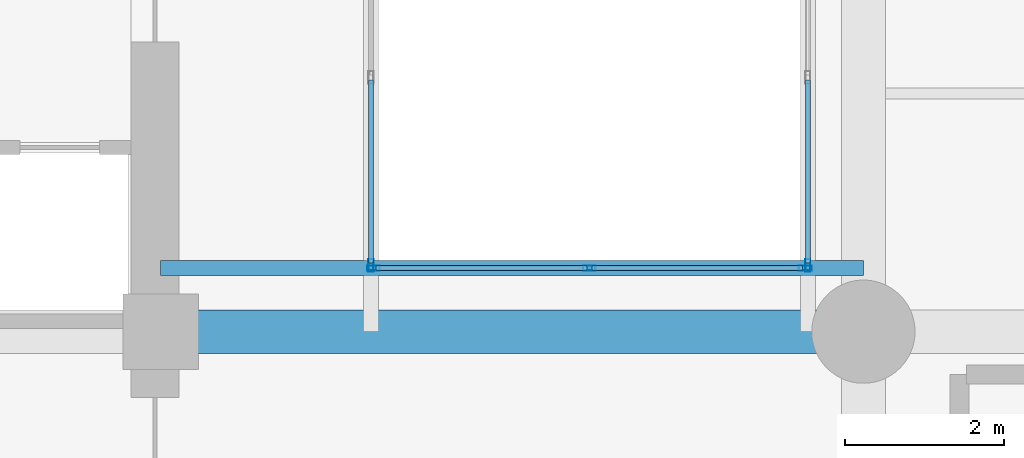
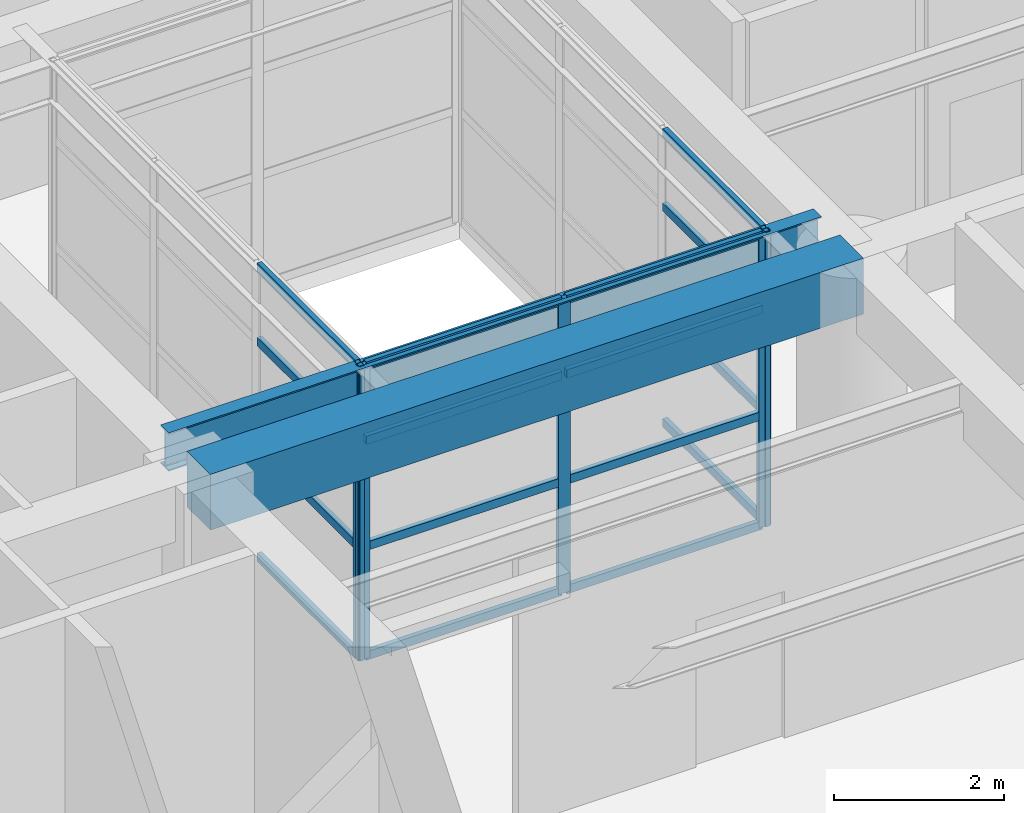
# One storey, part 2 of 10: 21 members, 2 beams, 3 elements without a shape of their own.
"""IFC4 building model written with IfcOpenShell, lengths in metres."""

from ifc_helpers import new_model, si_unit, direction, frame, origin, origin_2d, place, context, subcontext, project, spatial, rectangle, hollow_rectangle, i_section, extrude, material, layer, layer_set, material_profile, profile_set, type_object, element, aggregate, save


model = new_model("IFC4")

# Units and contexts
model_context = context("Model", 3, precision=1e-05, world=origin(), true_north=direction((0.0, 1.0)))
body_context = subcontext(model_context, "Body", "Model", "MODEL_VIEW")
ifc_project = project(units=[si_unit("LENGTHUNIT", "METRE"), si_unit("AREAUNIT", "SQUARE_METRE"), si_unit("VOLUMEUNIT", "CUBIC_METRE"), si_unit("PLANEANGLEUNIT", "RADIAN"), si_unit("MASSUNIT", "GRAM", prefix="KILO")], contexts=[model_context])

# Site, building, storey
site_placement = place(None, origin())
site = spatial("IfcSite", under=ifc_project, at=site_placement, CompositionType="ELEMENT")
building_placement = place(site_placement, origin())
building = spatial("IfcBuilding", under=site, at=building_placement, Name="Kundavana Baori Tower", CompositionType="ELEMENT")
storey_placement = place(building_placement, frame((0.0, 0.0, 8.0)))
storey = spatial("IfcBuildingStorey", under=building, at=storey_placement, Name="L01", CompositionType="ELEMENT", Elevation=8.0)

# Beams
ifc_material_1 = material(Name="Concrete C50/60", Category="concrete")
ifc_material_profile_1 = material_profile(ifc_material_1, rectangle(XDim=0.550048828125, YDim=0.800048828125, at=origin_2d()), Name="RC BM 550x800")
ifc_profile_set_1 = profile_set([ifc_material_profile_1], Name="Concrete C50/60")
beam_type_1 = type_object("IfcBeamType", Name="BM-RC-800", PredefinedType="BEAM", material=ifc_profile_set_1)
beam_1_placement = place(storey_placement, frame((24.949951171875, 24.199951171875, 3.820068359375), z_axis=(1.0, 0.0, 0.0), x_axis=(0.0, 1.0, 0.0)))
element("IfcBeam", 1, at=beam_1_placement, inside=storey, type_object=beam_type_1, Name="L01 Primary Grid Girder GX-2-2", PredefinedType="BEAM", context=body_context, shape_type="SweptSolid", body=[
    extrude(rectangle(XDim=0.550048828125, YDim=0.800048828125, at=origin_2d()), origin(), (0.0, 0.0, 1.0), 8.85009765625),
])
ifc_material_2 = material(Name="Structural Steel S355JR", Category="steel")
ifc_material_profile_2 = material_profile(ifc_material_2, i_section(OverallWidth=0.18994140625, OverallDepth=0.550048828125, WebThickness=0.01123046875, FlangeThickness=0.019287109375, FilletRadius=0.01806640625, at=origin_2d()), Name="ISMB 550")
ifc_profile_set_2 = profile_set([ifc_material_profile_2], Name="Structural Steel S355JR")
beam_type_2 = type_object("IfcBeamType", Name="BM-ST-550", PredefinedType="BEAM", material=ifc_profile_set_2)
beam_2_placement = place(storey_placement, frame((24.949951171875, 25.0, 3.945068359375), z_axis=(1.0, 0.0, 0.0), x_axis=(0.0, 1.0, 0.0)))
element("IfcBeam", 2, at=beam_2_placement, inside=storey, type_object=beam_type_2, Name="L01 Atrium South Edge Beam", PredefinedType="BEAM", context=body_context, shape_type="SweptSolid", body=[
    extrude(i_section(OverallWidth=0.18994140625, OverallDepth=0.550048828125, WebThickness=0.01123046875, FlangeThickness=0.019287109375, FilletRadius=0.01806640625, at=origin_2d()), origin(), (0.0, 0.0, 1.0), 8.85009765625),
])

# Curtain wall, members
ifc_material_3 = material(Name="Thermally Broken Anodised Aluminium Framing", Category="aluminium")
ifc_layer = layer(ifc_material_3, 0.159912109375, Name="CW-SYS-1")
ifc_layer_set = layer_set([ifc_layer], Name="Thermally Broken Anodised Aluminium Framing")
curtain_wall_type = type_object("IfcCurtainWallType", Name="CW-SYS-1", PredefinedType="NOTDEFINED", material=ifc_layer_set)
curtain_wall_1_placement = place(storey_placement, origin())
curtain_wall_1 = element("IfcCurtainWall", 3, at=curtain_wall_1_placement, inside=storey, type_object=curtain_wall_type, Name="L01 Atrium Glazed Curtain Wall S", PredefinedType="NOTDEFINED")
ifc_material_4 = material(Name="Thermally Broken Anodised Aluminium Framing", Category="aluminium")
ifc_material_profile_3 = material_profile(ifc_material_4, hollow_rectangle(XDim=0.06494140625, YDim=0.159912109375, WallThickness=0.00390625, at=origin_2d()), Name="CW-MULL-160")
ifc_profile_set_3 = profile_set([ifc_material_profile_3], Name="Thermally Broken Anodised Aluminium Framing")
member_type_1 = type_object("IfcMemberType", Name="CW-MULL-160", PredefinedType="MULLION", material=ifc_profile_set_3)
member_1_placement = place(storey_placement, frame((27.632568359375, 25.0, 0.0), z_axis=(0.0, 0.0, 1.0), x_axis=(0.0, 1.0, 0.0)))
member_1 = element("IfcMember", 4, at=member_1_placement, type_object=member_type_1, Name="CW1 mullion 1", PredefinedType="MULLION", context=body_context, shape_type="SweptSolid", body=[
    extrude(hollow_rectangle(XDim=0.06494140625, YDim=0.159912109375, WallThickness=0.00390625, at=origin_2d()), origin(), (0.0, 0.0, 1.0), 4.219970703125),
])
member_2_placement = place(storey_placement, frame((30.35009765625, 25.0, 0.0), z_axis=(0.0, 0.0, 1.0), x_axis=(0.0, 1.0, 0.0)))
member_2 = element("IfcMember", 5, at=member_2_placement, type_object=member_type_1, Name="CW1 mullion 2", PredefinedType="MULLION", context=body_context, shape_type="SweptSolid", body=[
    extrude(hollow_rectangle(XDim=0.06494140625, YDim=0.159912109375, WallThickness=0.00390625, at=origin_2d()), origin(), (0.0, 0.0, 1.0), 4.219970703125),
])
member_3_placement = place(storey_placement, frame((33.0673828125, 25.0, 0.0), z_axis=(0.0, 0.0, 1.0), x_axis=(0.0, 1.0, 0.0)))
member_3 = element("IfcMember", 6, at=member_3_placement, type_object=member_type_1, Name="CW1 mullion 3", PredefinedType="MULLION", context=body_context, shape_type="SweptSolid", body=[
    extrude(hollow_rectangle(XDim=0.06494140625, YDim=0.159912109375, WallThickness=0.00390625, at=origin_2d()), origin(), (0.0, 0.0, 1.0), 4.219970703125),
])

# Curtain wall, member
curtain_wall_2_placement = place(storey_placement, origin())
curtain_wall_2 = element("IfcCurtainWall", 7, at=curtain_wall_2_placement, inside=storey, type_object=curtain_wall_type, Name="L01 Atrium Glazed Curtain Wall E", PredefinedType="NOTDEFINED")
member_4_placement = place(storey_placement, frame((33.10009765625, 25.032470703125, 0.0), z_axis=(0.0, 0.0, 1.0), x_axis=(-1.0, 0.0, 0.0)))
member_4 = element("IfcMember", 8, at=member_4_placement, type_object=member_type_1, Name="CW1 mullion 1", PredefinedType="MULLION", context=body_context, shape_type="SweptSolid", body=[
    extrude(hollow_rectangle(XDim=0.06494140625, YDim=0.159912109375, WallThickness=0.00390625, at=origin_2d()), origin(), (0.0, 0.0, 1.0), 4.219970703125),
])

curtain_wall_3_placement = place(storey_placement, origin())
curtain_wall_3 = element("IfcCurtainWall", 9, at=curtain_wall_3_placement, inside=storey, type_object=curtain_wall_type, Name="L01 Atrium Glazed Curtain Wall W", PredefinedType="NOTDEFINED")
member_5_placement = place(storey_placement, frame((27.60009765625, 25.032470703125, 0.0), z_axis=(0.0, 0.0, 1.0), x_axis=(1.0, 0.0, 0.0)))
member_5 = element("IfcMember", 10, at=member_5_placement, type_object=member_type_1, Name="CW1 mullion 4", PredefinedType="MULLION", context=body_context, shape_type="SweptSolid", body=[
    extrude(hollow_rectangle(XDim=0.06494140625, YDim=0.159912109375, WallThickness=0.00390625, at=origin_2d()), origin(), (0.0, 0.0, 1.0), 4.219970703125),
])

# Member
ifc_material_5 = material(Name="Thermally Broken Anodised Aluminium Framing", Category="aluminium")
ifc_material_profile_4 = material_profile(ifc_material_5, hollow_rectangle(XDim=0.06494140625, YDim=0.1201171875, WallThickness=0.00390625, at=origin_2d()), Name="CW-TRAN-120")
ifc_profile_set_4 = profile_set([ifc_material_profile_4], Name="Thermally Broken Anodised Aluminium Framing")
member_type_2 = type_object("IfcMemberType", Name="CW-TRAN-120", PredefinedType="USERDEFINED", material=ifc_profile_set_4)
member_6_placement = place(storey_placement, frame((27.6650390625, 25.0, 0.032470703125), z_axis=(1.0, 0.0, 0.0), x_axis=(0.0, 1.0, 0.0)))
member_6 = element("IfcMember", 11, at=member_6_placement, type_object=member_type_2, Name="CW1 transom 1.1", ObjectType="TRANSOM", PredefinedType="USERDEFINED", context=body_context, shape_type="SweptSolid", body=[
    extrude(hollow_rectangle(XDim=0.06494140625, YDim=0.1201171875, WallThickness=0.00390625, at=origin_2d()), origin(), (0.0, 0.0, 1.0), 2.65234375),
])

member_7_placement = place(storey_placement, frame((27.6650390625, 25.0, 1.603515625), z_axis=(1.0, 0.0, 0.0), x_axis=(0.0, 1.0, 0.0)))
member_7 = element("IfcMember", 12, at=member_7_placement, type_object=member_type_2, Name="CW1 transom 1.2", ObjectType="TRANSOM", PredefinedType="USERDEFINED", context=body_context, shape_type="SweptSolid", body=[
    extrude(hollow_rectangle(XDim=0.06494140625, YDim=0.1201171875, WallThickness=0.00390625, at=origin_2d()), origin(), (0.0, 0.0, 1.0), 2.65234375),
])

member_8_placement = place(storey_placement, frame((27.6650390625, 25.0, 3.122802734375), z_axis=(1.0, 0.0, 0.0), x_axis=(0.0, 1.0, 0.0)))
member_8 = element("IfcMember", 13, at=member_8_placement, type_object=member_type_2, Name="CW1 transom 1.3", ObjectType="TRANSOM", PredefinedType="USERDEFINED", context=body_context, shape_type="SweptSolid", body=[
    extrude(hollow_rectangle(XDim=0.06494140625, YDim=0.1201171875, WallThickness=0.00390625, at=origin_2d()), origin(), (0.0, 0.0, 1.0), 2.65234375),
])

member_9_placement = place(storey_placement, frame((27.6650390625, 25.0, 4.1875), z_axis=(1.0, 0.0, 0.0), x_axis=(0.0, 1.0, 0.0)))
member_9 = element("IfcMember", 14, at=member_9_placement, type_object=member_type_2, Name="CW1 transom 1.4", ObjectType="TRANSOM", PredefinedType="USERDEFINED", context=body_context, shape_type="SweptSolid", body=[
    extrude(hollow_rectangle(XDim=0.06494140625, YDim=0.1201171875, WallThickness=0.00390625, at=origin_2d()), origin(), (0.0, 0.0, 1.0), 2.65234375),
])

member_10_placement = place(storey_placement, frame((30.382568359375, 25.0, 0.032470703125), z_axis=(1.0, 0.0, 0.0), x_axis=(0.0, 1.0, 0.0)))
member_10 = element("IfcMember", 15, at=member_10_placement, type_object=member_type_2, Name="CW1 transom 2.1", ObjectType="TRANSOM", PredefinedType="USERDEFINED", context=body_context, shape_type="SweptSolid", body=[
    extrude(hollow_rectangle(XDim=0.06494140625, YDim=0.1201171875, WallThickness=0.00390625, at=origin_2d()), origin(), (0.0, 0.0, 1.0), 2.65234375),
])

member_11_placement = place(storey_placement, frame((30.382568359375, 25.0, 1.603515625), z_axis=(1.0, 0.0, 0.0), x_axis=(0.0, 1.0, 0.0)))
member_11 = element("IfcMember", 16, at=member_11_placement, type_object=member_type_2, Name="CW1 transom 2.2", ObjectType="TRANSOM", PredefinedType="USERDEFINED", context=body_context, shape_type="SweptSolid", body=[
    extrude(hollow_rectangle(XDim=0.06494140625, YDim=0.1201171875, WallThickness=0.00390625, at=origin_2d()), origin(), (0.0, 0.0, 1.0), 2.65234375),
])

member_12_placement = place(storey_placement, frame((30.382568359375, 25.0, 3.122802734375), z_axis=(1.0, 0.0, 0.0), x_axis=(0.0, 1.0, 0.0)))
member_12 = element("IfcMember", 17, at=member_12_placement, type_object=member_type_2, Name="CW1 transom 2.3", ObjectType="TRANSOM", PredefinedType="USERDEFINED", context=body_context, shape_type="SweptSolid", body=[
    extrude(hollow_rectangle(XDim=0.06494140625, YDim=0.1201171875, WallThickness=0.00390625, at=origin_2d()), origin(), (0.0, 0.0, 1.0), 2.65234375),
])

member_13_placement = place(storey_placement, frame((30.382568359375, 25.0, 4.1875), z_axis=(1.0, 0.0, 0.0), x_axis=(0.0, 1.0, 0.0)))
member_13 = element("IfcMember", 18, at=member_13_placement, type_object=member_type_2, Name="CW1 transom 2.4", ObjectType="TRANSOM", PredefinedType="USERDEFINED", context=body_context, shape_type="SweptSolid", body=[
    extrude(hollow_rectangle(XDim=0.06494140625, YDim=0.1201171875, WallThickness=0.00390625, at=origin_2d()), origin(), (0.0, 0.0, 1.0), 2.65234375),
])

aggregate(curtain_wall_1, [member_1, member_2, member_3, member_6, member_7, member_8, member_9, member_10, member_11, member_12, member_13])

member_14_placement = place(storey_placement, frame((33.10009765625, 25.06494140625, 0.032470703125), z_axis=(0.0, 1.0, 0.0), x_axis=(-1.0, 0.0, 0.0)))
member_14 = element("IfcMember", 19, at=member_14_placement, type_object=member_type_2, Name="CW1 transom 1.1", ObjectType="TRANSOM", PredefinedType="USERDEFINED", context=body_context, shape_type="SweptSolid", body=[
    extrude(hollow_rectangle(XDim=0.06494140625, YDim=0.1201171875, WallThickness=0.00390625, at=origin_2d()), origin(), (0.0, 0.0, 1.0), 2.302490234375),
])

member_15_placement = place(storey_placement, frame((33.10009765625, 25.06494140625, 1.603515625), z_axis=(0.0, 1.0, 0.0), x_axis=(-1.0, 0.0, 0.0)))
member_15 = element("IfcMember", 20, at=member_15_placement, type_object=member_type_2, Name="CW1 transom 1.2", ObjectType="TRANSOM", PredefinedType="USERDEFINED", context=body_context, shape_type="SweptSolid", body=[
    extrude(hollow_rectangle(XDim=0.06494140625, YDim=0.1201171875, WallThickness=0.00390625, at=origin_2d()), origin(), (0.0, 0.0, 1.0), 2.302490234375),
])

member_16_placement = place(storey_placement, frame((33.10009765625, 25.06494140625, 3.122802734375), z_axis=(0.0, 1.0, 0.0), x_axis=(-1.0, 0.0, 0.0)))
member_16 = element("IfcMember", 21, at=member_16_placement, type_object=member_type_2, Name="CW1 transom 1.3", ObjectType="TRANSOM", PredefinedType="USERDEFINED", context=body_context, shape_type="SweptSolid", body=[
    extrude(hollow_rectangle(XDim=0.06494140625, YDim=0.1201171875, WallThickness=0.00390625, at=origin_2d()), origin(), (0.0, 0.0, 1.0), 2.302490234375),
])

member_17_placement = place(storey_placement, frame((33.10009765625, 25.06494140625, 4.1875), z_axis=(0.0, 1.0, 0.0), x_axis=(-1.0, 0.0, 0.0)))
member_17 = element("IfcMember", 22, at=member_17_placement, type_object=member_type_2, Name="CW1 transom 1.4", ObjectType="TRANSOM", PredefinedType="USERDEFINED", context=body_context, shape_type="SweptSolid", body=[
    extrude(hollow_rectangle(XDim=0.06494140625, YDim=0.1201171875, WallThickness=0.00390625, at=origin_2d()), origin(), (0.0, 0.0, 1.0), 2.302490234375),
])

aggregate(curtain_wall_2, [member_4, member_14, member_15, member_16, member_17])

member_18_placement = place(storey_placement, frame((27.60009765625, 27.367431640625, 0.032470703125), z_axis=(0.0, -1.0, 0.0), x_axis=(1.0, 0.0, 0.0)))
member_18 = element("IfcMember", 23, at=member_18_placement, type_object=member_type_2, Name="CW1 transom 3.1", ObjectType="TRANSOM", PredefinedType="USERDEFINED", context=body_context, shape_type="SweptSolid", body=[
    extrude(hollow_rectangle(XDim=0.06494140625, YDim=0.1201171875, WallThickness=0.00390625, at=origin_2d()), origin(), (0.0, 0.0, 1.0), 2.302490234375),
])

member_19_placement = place(storey_placement, frame((27.60009765625, 27.367431640625, 1.603515625), z_axis=(0.0, -1.0, 0.0), x_axis=(1.0, 0.0, 0.0)))
member_19 = element("IfcMember", 24, at=member_19_placement, type_object=member_type_2, Name="CW1 transom 3.2", ObjectType="TRANSOM", PredefinedType="USERDEFINED", context=body_context, shape_type="SweptSolid", body=[
    extrude(hollow_rectangle(XDim=0.06494140625, YDim=0.1201171875, WallThickness=0.00390625, at=origin_2d()), origin(), (0.0, 0.0, 1.0), 2.302490234375),
])

member_20_placement = place(storey_placement, frame((27.60009765625, 27.367431640625, 3.122802734375), z_axis=(0.0, -1.0, 0.0), x_axis=(1.0, 0.0, 0.0)))
member_20 = element("IfcMember", 25, at=member_20_placement, type_object=member_type_2, Name="CW1 transom 3.3", ObjectType="TRANSOM", PredefinedType="USERDEFINED", context=body_context, shape_type="SweptSolid", body=[
    extrude(hollow_rectangle(XDim=0.06494140625, YDim=0.1201171875, WallThickness=0.00390625, at=origin_2d()), origin(), (0.0, 0.0, 1.0), 2.302490234375),
])

member_21_placement = place(storey_placement, frame((27.60009765625, 27.367431640625, 4.1875), z_axis=(0.0, -1.0, 0.0), x_axis=(1.0, 0.0, 0.0)))
member_21 = element("IfcMember", 26, at=member_21_placement, type_object=member_type_2, Name="CW1 transom 3.4", ObjectType="TRANSOM", PredefinedType="USERDEFINED", context=body_context, shape_type="SweptSolid", body=[
    extrude(hollow_rectangle(XDim=0.06494140625, YDim=0.1201171875, WallThickness=0.00390625, at=origin_2d()), origin(), (0.0, 0.0, 1.0), 2.302490234375),
])

aggregate(curtain_wall_3, [member_5, member_18, member_19, member_20, member_21])

save(model, "model.ifc")
